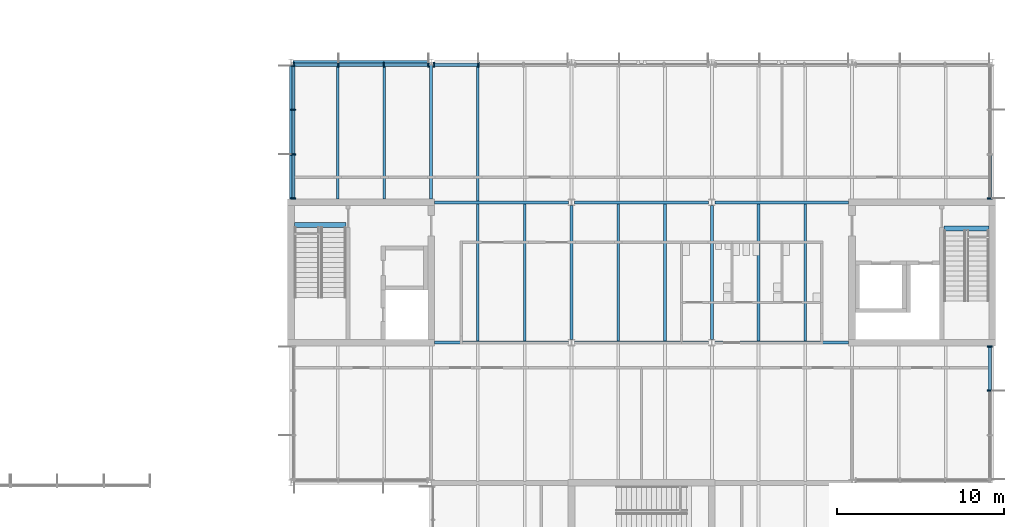
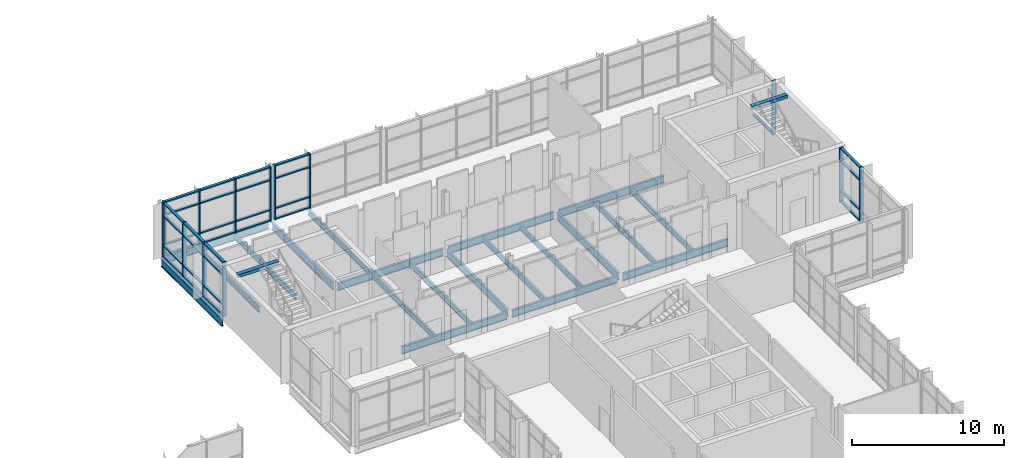
# One storey, part 28 of 72: 46 members, 22 beams, 5 elements without a shape of their own.
"""IFC4 building model written with IfcOpenShell, lengths in metres."""

from ifc_helpers import new_model, si_unit, direction, frame, origin, origin_2d, place, context, subcontext, project, spatial, rectangle, i_section, extrude, material, material_profile, profile_set, type_object, element, aggregate, save


model = new_model("IFC4")

# Units and contexts
model_context = context("Model", 3, precision=1e-05, world=origin(), true_north=direction((0.0, 1.0)))
body_context = subcontext(model_context, "Body", "Model", "MODEL_VIEW")
ifc_project = project(units=[si_unit("LENGTHUNIT", "METRE"), si_unit("AREAUNIT", "SQUARE_METRE"), si_unit("VOLUMEUNIT", "CUBIC_METRE"), si_unit("PLANEANGLEUNIT", "RADIAN"), si_unit("MASSUNIT", "GRAM", prefix="KILO")], contexts=[model_context])

# Site, building, storey
site_placement = place(None, origin())
site = spatial("IfcSite", under=ifc_project, at=site_placement, CompositionType="ELEMENT")
building_placement = place(site_placement, origin())
building = spatial("IfcBuilding", under=site, at=building_placement, Name="Hlaing Beacon Police Headquarters", CompositionType="ELEMENT")
storey_placement = place(building_placement, frame((0.0, 0.0, 14.39990234375)))
storey = spatial("IfcBuildingStorey", under=building, at=storey_placement, Name="L03", CompositionType="ELEMENT", Elevation=14.39990234375)

# Beams
ifc_material_1 = material(Name="Steel ASTM A992 Grade 50", Category="steel")
ifc_material_profile_1 = material_profile(ifc_material_1, i_section(OverallWidth=0.177978515625, OverallDepth=0.599365234375, WebThickness=0.010009765625, FlangeThickness=0.012939453125, FilletRadius=0.012939453125, at=origin_2d()), Name="W24x55")
ifc_profile_set_1 = profile_set([ifc_material_profile_1], Name="Steel ASTM A992 Grade 50")
beam_type_1 = type_object("IfcBeamType", Name="Girder W24x55", PredefinedType="BEAM", material=ifc_profile_set_1)
beam_1_placement = place(storey_placement, frame((101.0, 75.60009765625, -0.4296875), z_axis=(1.0, 0.0, 0.0), x_axis=(0.0, 1.0, 0.0)))
element("IfcBeam", 1, at=beam_1_placement, inside=storey, type_object=beam_type_1, Name="STR-BM-L03-GX-N10-P10", PredefinedType="BEAM", context=body_context, shape_type="SweptSolid", body=[
    extrude(i_section(OverallWidth=0.177978515625, OverallDepth=0.599365234375, WebThickness=0.010009765625, FlangeThickness=0.012939453125, FilletRadius=0.012939453125, at=origin_2d()), origin(), (0.0, 0.0, 1.0), 8.012939453125),
])
beam_2_placement = place(storey_placement, frame((109.386962890625, 75.60009765625, -0.4296875), z_axis=(1.0, 0.0, 0.0), x_axis=(0.0, 1.0, 0.0)))
element("IfcBeam", 2, at=beam_2_placement, inside=storey, type_object=beam_type_1, Name="STR-BM-L03-GX-P10-Q10", PredefinedType="BEAM", context=body_context, shape_type="SweptSolid", body=[
    extrude(i_section(OverallWidth=0.177978515625, OverallDepth=0.599365234375, WebThickness=0.010009765625, FlangeThickness=0.012939453125, FilletRadius=0.012939453125, at=origin_2d()), origin(), (0.0, 0.0, 1.0), 8.026123046875),
])
for number, where, z_axis, x_axis, name in (
    (3, (117.787109375, 75.60009765625, -0.4296875), (1.0, 0.0, 0.0), (0.0, 1.0, 0.0), "STR-BM-L03-GX-Q10-R10"),
    (4, (101.0, 84.0, -0.4296875), (1.0, 0.0, 0.0), (0.0, 1.0, 0.0), "STR-BM-L03-GX-N11-P11"),
):
    element("IfcBeam", number, at=place(storey_placement, frame(where, z_axis=z_axis, x_axis=x_axis)), inside=storey, type_object=beam_type_1, Name=name, PredefinedType="BEAM", context=body_context, shape_type="SweptSolid", body=[
        extrude(i_section(OverallWidth=0.177978515625, OverallDepth=0.599365234375, WebThickness=0.010009765625, FlangeThickness=0.012939453125, FilletRadius=0.012939453125, at=origin_2d()), origin(), (0.0, 0.0, 1.0), 8.012939453125),
    ])
beam_3_placement = place(storey_placement, frame((109.386962890625, 84.0, -0.4296875), z_axis=(1.0, 0.0, 0.0), x_axis=(0.0, 1.0, 0.0)))
element("IfcBeam", 5, at=beam_3_placement, inside=storey, type_object=beam_type_1, Name="STR-BM-L03-GX-P11-Q11", PredefinedType="BEAM", context=body_context, shape_type="SweptSolid", body=[
    extrude(i_section(OverallWidth=0.177978515625, OverallDepth=0.599365234375, WebThickness=0.010009765625, FlangeThickness=0.012939453125, FilletRadius=0.012939453125, at=origin_2d()), origin(), (0.0, 0.0, 1.0), 8.026123046875),
])
beam_4_placement = place(storey_placement, frame((117.787109375, 84.0, -0.4296875), z_axis=(1.0, 0.0, 0.0), x_axis=(0.0, 1.0, 0.0)))
element("IfcBeam", 6, at=beam_4_placement, inside=storey, type_object=beam_type_1, Name="STR-BM-L03-GX-Q11-R11", PredefinedType="BEAM", context=body_context, shape_type="SweptSolid", body=[
    extrude(i_section(OverallWidth=0.177978515625, OverallDepth=0.599365234375, WebThickness=0.010009765625, FlangeThickness=0.012939453125, FilletRadius=0.012939453125, at=origin_2d()), origin(), (0.0, 0.0, 1.0), 8.012939453125),
])
beam_5_placement = place(storey_placement, frame((92.527099609375, 92.39990234375, -0.4296875), z_axis=(1.0, 0.0, 0.0), x_axis=(0.0, 1.0, 0.0)))
element("IfcBeam", 7, at=beam_5_placement, inside=storey, type_object=beam_type_1, Name="STR-BM-L03-GX-M12-N12", PredefinedType="BEAM", context=body_context, shape_type="SweptSolid", body=[
    extrude(i_section(OverallWidth=0.177978515625, OverallDepth=0.599365234375, WebThickness=0.010009765625, FlangeThickness=0.012939453125, FilletRadius=0.012939453125, at=origin_2d()), origin(), (0.0, 0.0, 1.0), 8.0888671875),
])
for number, where, z_axis, x_axis, name in (
    (8, (92.39990234375, 84.199951171875, -0.4296875), (0.0, 1.0, 0.0), (-1.0, 0.0, 0.0), "STR-BM-L03-GY-M11-M12"),
    (9, (100.800048828125, 84.199951171875, -0.4296875), (0.0, 1.0, 0.0), (-1.0, 0.0, 0.0), "STR-BM-L03-GY-N11-N12"),
):
    element("IfcBeam", number, at=place(storey_placement, frame(where, z_axis=z_axis, x_axis=x_axis)), inside=storey, type_object=beam_type_1, Name=name, PredefinedType="BEAM", context=body_context, shape_type="SweptSolid", body=[
        extrude(i_section(OverallWidth=0.177978515625, OverallDepth=0.599365234375, WebThickness=0.010009765625, FlangeThickness=0.012939453125, FilletRadius=0.012939453125, at=origin_2d()), origin(), (0.0, 0.0, 1.0), 8.02197265625),
    ])
for number, where, z_axis, x_axis, name in (
    (10, (109.199951171875, 75.787109375, -0.4296875), (0.0, 1.0, 0.0), (-1.0, 0.0, 0.0), "STR-BM-L03-GY-P10-P11"),
    (11, (117.60009765625, 75.787109375, -0.4296875), (0.0, 1.0, 0.0), (-1.0, 0.0, 0.0), "STR-BM-L03-GY-Q10-Q11"),
):
    element("IfcBeam", number, at=place(storey_placement, frame(where, z_axis=z_axis, x_axis=x_axis)), inside=storey, type_object=beam_type_1, Name=name, PredefinedType="BEAM", context=body_context, shape_type="SweptSolid", body=[
        extrude(i_section(OverallWidth=0.177978515625, OverallDepth=0.599365234375, WebThickness=0.010009765625, FlangeThickness=0.012939453125, FilletRadius=0.012939453125, at=origin_2d()), origin(), (0.0, 0.0, 1.0), 8.02587890625),
    ])

# Curtain wall, members
ifc_material_2 = material(Name="Aluminium frame with solar control glazing", Category="aluminium")
curtain_wall_type_1 = type_object("IfcCurtainWallType", Name="Structural glazed gable wall 8.02 x 4.37", PredefinedType="NOTDEFINED", material=ifc_material_2)
curtain_wall_1_placement = place(storey_placement, origin())
curtain_wall_1 = element("IfcCurtainWall", 12, at=curtain_wall_1_placement, inside=storey, type_object=curtain_wall_type_1, Name="ENV-CW-L03-E026", PredefinedType="NOTDEFINED")
ifc_material_3 = material(Name="Aluminium", Category="aluminium")
ifc_material_profile_2 = material_profile(ifc_material_3, rectangle(XDim=0.300048828125, YDim=0.080078125, at=origin_2d()), Name="Mullion 80x300")
ifc_profile_set_2 = profile_set([ifc_material_profile_2], Name="Aluminium")
member_type_1 = type_object("IfcMemberType", Name="Mullion 80x300", PredefinedType="MULLION", material=ifc_profile_set_2)
member_1_placement = place(storey_placement, frame((134.25, 72.7255859375, 0.0), z_axis=(0.0, 0.0, 1.0), x_axis=(-1.0, 0.0, 0.0)))
member_1 = element("IfcMember", 13, at=member_1_placement, type_object=member_type_1, Name="CW-L03-E026 mullion 3", PredefinedType="MULLION", context=body_context, shape_type="SweptSolid", body=[
    extrude(rectangle(XDim=0.300048828125, YDim=0.080078125, at=origin_2d()), origin(), (0.0, 0.0, 1.0), 4.3701171875),
])
member_2_placement = place(storey_placement, frame((134.25, 75.360107421875, 0.0), z_axis=(0.0, 0.0, 1.0), x_axis=(-1.0, 0.0, 0.0)))
member_2 = element("IfcMember", 14, at=member_2_placement, type_object=member_type_1, Name="CW-L03-E026 mullion 4", PredefinedType="MULLION", context=body_context, shape_type="SweptSolid", body=[
    extrude(rectangle(XDim=0.300048828125, YDim=0.080078125, at=origin_2d()), origin(), (0.0, 0.0, 1.0), 4.3701171875),
])

# Curtain wall, member
curtain_wall_2_placement = place(storey_placement, origin())
curtain_wall_2 = element("IfcCurtainWall", 15, at=curtain_wall_2_placement, inside=storey, type_object=curtain_wall_type_1, Name="ENV-CW-L03-E027", PredefinedType="NOTDEFINED")
member_3_placement = place(storey_placement, frame((134.25, 84.239990234375, 0.0), z_axis=(0.0, 0.0, 1.0), x_axis=(-1.0, 0.0, 0.0)))
member_3 = element("IfcMember", 16, at=member_3_placement, type_object=member_type_1, Name="CW-L03-E027 mullion 1", PredefinedType="MULLION", context=body_context, shape_type="SweptSolid", body=[
    extrude(rectangle(XDim=0.300048828125, YDim=0.080078125, at=origin_2d()), origin(), (0.0, 0.0, 1.0), 4.3701171875),
])

# Curtain wall, members
ifc_material_4 = material(Name="Aluminium frame with solar control glazing", Category="aluminium")
curtain_wall_type_2 = type_object("IfcCurtainWallType", Name="Structural glazed gable wall 8.09 x 4.37", PredefinedType="NOTDEFINED", material=ifc_material_4)
curtain_wall_3_placement = place(storey_placement, origin())
curtain_wall_3 = element("IfcCurtainWall", 17, at=curtain_wall_3_placement, inside=storey, type_object=curtain_wall_type_2, Name="ENV-CW-L03-N031", PredefinedType="NOTDEFINED")
member_4_placement = place(storey_placement, frame((103.623779296875, 92.25, 0.0), z_axis=(0.0, 0.0, 1.0), x_axis=(0.0, -1.0, 0.0)))
member_4 = element("IfcMember", 18, at=member_4_placement, type_object=member_type_1, Name="CW-L03-N031 mullion 3", PredefinedType="MULLION", context=body_context, shape_type="SweptSolid", body=[
    extrude(rectangle(XDim=0.300048828125, YDim=0.080078125, at=origin_2d()), origin(), (0.0, 0.0, 1.0), 4.3701171875),
])
member_5_placement = place(storey_placement, frame((100.96826171875, 92.25, 0.0), z_axis=(0.0, 0.0, 1.0), x_axis=(0.0, -1.0, 0.0)))
member_5 = element("IfcMember", 19, at=member_5_placement, type_object=member_type_1, Name="CW-L03-N031 mullion 4", PredefinedType="MULLION", context=body_context, shape_type="SweptSolid", body=[
    extrude(rectangle(XDim=0.300048828125, YDim=0.080078125, at=origin_2d()), origin(), (0.0, 0.0, 1.0), 4.3701171875),
])

ifc_material_5 = material(Name="Aluminium frame with solar control glazing", Category="aluminium")
curtain_wall_type_3 = type_object("IfcCurtainWallType", Name="Structural glazed gable wall 8.14 x 4.37", PredefinedType="NOTDEFINED", material=ifc_material_5)
curtain_wall_4_placement = place(storey_placement, origin())
curtain_wall_4 = element("IfcCurtainWall", 20, at=curtain_wall_4_placement, inside=storey, type_object=curtain_wall_type_3, Name="ENV-CW-L03-N032", PredefinedType="NOTDEFINED")
member_6_placement = place(storey_placement, frame((100.631591796875, 92.25, 0.0), z_axis=(0.0, 0.0, 1.0), x_axis=(0.0, -1.0, 0.0)))
member_6 = element("IfcMember", 21, at=member_6_placement, type_object=member_type_1, Name="CW-L03-N032 mullion 1", PredefinedType="MULLION", context=body_context, shape_type="SweptSolid", body=[
    extrude(rectangle(XDim=0.300048828125, YDim=0.080078125, at=origin_2d()), origin(), (0.0, 0.0, 1.0), 4.3701171875),
])
member_7_placement = place(storey_placement, frame((97.956787109375, 92.25, 0.0), z_axis=(0.0, 0.0, 1.0), x_axis=(0.0, -1.0, 0.0)))
member_7 = element("IfcMember", 22, at=member_7_placement, type_object=member_type_1, Name="CW-L03-N032 mullion 2", PredefinedType="MULLION", context=body_context, shape_type="SweptSolid", body=[
    extrude(rectangle(XDim=0.300048828125, YDim=0.080078125, at=origin_2d()), origin(), (0.0, 0.0, 1.0), 4.3701171875),
])
member_8_placement = place(storey_placement, frame((95.241943359375, 92.25, 0.0), z_axis=(0.0, 0.0, 1.0), x_axis=(0.0, -1.0, 0.0)))
member_8 = element("IfcMember", 23, at=member_8_placement, type_object=member_type_1, Name="CW-L03-N032 mullion 3", PredefinedType="MULLION", context=body_context, shape_type="SweptSolid", body=[
    extrude(rectangle(XDim=0.300048828125, YDim=0.080078125, at=origin_2d()), origin(), (0.0, 0.0, 1.0), 4.3701171875),
])
member_9_placement = place(storey_placement, frame((92.56689453125, 92.25, 0.0), z_axis=(0.0, 0.0, 1.0), x_axis=(0.0, -1.0, 0.0)))
member_9 = element("IfcMember", 24, at=member_9_placement, type_object=member_type_1, Name="CW-L03-N032 mullion 4", PredefinedType="MULLION", context=body_context, shape_type="SweptSolid", body=[
    extrude(rectangle(XDim=0.300048828125, YDim=0.080078125, at=origin_2d()), origin(), (0.0, 0.0, 1.0), 4.3701171875),
])

curtain_wall_5_placement = place(storey_placement, origin())
curtain_wall_5 = element("IfcCurtainWall", 25, at=curtain_wall_5_placement, inside=storey, type_object=curtain_wall_type_1, Name="ENV-CW-L03-W033", PredefinedType="NOTDEFINED")
member_10_placement = place(storey_placement, frame((92.550048828125, 92.18359375, 0.0), z_axis=(0.0, 0.0, 1.0), x_axis=(1.0, 0.0, 0.0)))
member_10 = element("IfcMember", 26, at=member_10_placement, type_object=member_type_1, Name="CW-L03-W033 mullion 1", PredefinedType="MULLION", context=body_context, shape_type="SweptSolid", body=[
    extrude(rectangle(XDim=0.300048828125, YDim=0.080078125, at=origin_2d()), origin(), (0.0, 0.0, 1.0), 4.3701171875),
])
member_11_placement = place(storey_placement, frame((92.550048828125, 89.549072265625, 0.0), z_axis=(0.0, 0.0, 1.0), x_axis=(1.0, 0.0, 0.0)))
member_11 = element("IfcMember", 27, at=member_11_placement, type_object=member_type_1, Name="CW-L03-W033 mullion 2", PredefinedType="MULLION", context=body_context, shape_type="SweptSolid", body=[
    extrude(rectangle(XDim=0.300048828125, YDim=0.080078125, at=origin_2d()), origin(), (0.0, 0.0, 1.0), 4.3701171875),
])
member_12_placement = place(storey_placement, frame((92.550048828125, 86.87451171875, 0.0), z_axis=(0.0, 0.0, 1.0), x_axis=(1.0, 0.0, 0.0)))
member_12 = element("IfcMember", 28, at=member_12_placement, type_object=member_type_1, Name="CW-L03-W033 mullion 3", PredefinedType="MULLION", context=body_context, shape_type="SweptSolid", body=[
    extrude(rectangle(XDim=0.300048828125, YDim=0.080078125, at=origin_2d()), origin(), (0.0, 0.0, 1.0), 4.3701171875),
])
member_13_placement = place(storey_placement, frame((92.550048828125, 84.239990234375, 0.0), z_axis=(0.0, 0.0, 1.0), x_axis=(1.0, 0.0, 0.0)))
member_13 = element("IfcMember", 29, at=member_13_placement, type_object=member_type_1, Name="CW-L03-W033 mullion 4", PredefinedType="MULLION", context=body_context, shape_type="SweptSolid", body=[
    extrude(rectangle(XDim=0.300048828125, YDim=0.080078125, at=origin_2d()), origin(), (0.0, 0.0, 1.0), 4.3701171875),
])

# Beams
ifc_material_6 = material(Name="Steel ASTM A992 Grade 50", Category="steel")
ifc_material_profile_3 = material_profile(ifc_material_6, i_section(OverallWidth=0.15234375, OverallDepth=0.449462890625, WebThickness=0.007568359375, FlangeThickness=0.0107421875, FilletRadius=0.01025390625, at=origin_2d()), Name="W18x35")
ifc_profile_set_3 = profile_set([ifc_material_profile_3], Name="Steel ASTM A992 Grade 50")
beam_type_2 = type_object("IfcBeamType", Name="Secondary beam W18x35", PredefinedType="BEAM", material=ifc_profile_set_3)
for number, where, z_axis, x_axis, name in (
    (30, (95.199951171875, 84.199951171875, -0.354736328125), (0.0, 1.0, 0.0), (-1.0, 0.0, 0.0), "STR-BM-L03-SB-M11-y1"),
    (31, (98.0, 84.199951171875, -0.354736328125), (0.0, 1.0, 0.0), (-1.0, 0.0, 0.0), "STR-BM-L03-SB-M11-y2"),
):
    element("IfcBeam", number, at=place(storey_placement, frame(where, z_axis=z_axis, x_axis=x_axis)), inside=storey, type_object=beam_type_2, Name=name, PredefinedType="BEAM", context=body_context, shape_type="SweptSolid", body=[
        extrude(i_section(OverallWidth=0.15234375, OverallDepth=0.449462890625, WebThickness=0.007568359375, FlangeThickness=0.0107421875, FilletRadius=0.01025390625, at=origin_2d()), origin(), (0.0, 0.0, 1.0), 8.111083984375),
    ])
for number, where, z_axis, x_axis, name in (
    (32, (103.60009765625, 75.68896484375, -0.354736328125), (0.0, 1.0, 0.0), (-1.0, 0.0, 0.0), "STR-BM-L03-SB-N10-y1"),
    (33, (106.39990234375, 75.68896484375, -0.354736328125), (0.0, 1.0, 0.0), (-1.0, 0.0, 0.0), "STR-BM-L03-SB-N10-y2"),
    (34, (103.60009765625, 84.089111328125, -0.354736328125), (0.0, 1.0, 0.0), (-1.0, 0.0, 0.0), "STR-BM-L03-SB-N11-y1"),
    (35, (112.0, 75.68896484375, -0.354736328125), (0.0, 1.0, 0.0), (-1.0, 0.0, 0.0), "STR-BM-L03-SB-P10-y1"),
    (36, (114.800048828125, 75.68896484375, -0.354736328125), (0.0, 1.0, 0.0), (-1.0, 0.0, 0.0), "STR-BM-L03-SB-P10-y2"),
    (37, (120.39990234375, 75.68896484375, -0.354736328125), (0.0, 1.0, 0.0), (-1.0, 0.0, 0.0), "STR-BM-L03-SB-Q10-y1"),
    (38, (123.199951171875, 75.68896484375, -0.354736328125), (0.0, 1.0, 0.0), (-1.0, 0.0, 0.0), "STR-BM-L03-SB-Q10-y2"),
):
    element("IfcBeam", number, at=place(storey_placement, frame(where, z_axis=z_axis, x_axis=x_axis)), inside=storey, type_object=beam_type_2, Name=name, PredefinedType="BEAM", context=body_context, shape_type="SweptSolid", body=[
        extrude(i_section(OverallWidth=0.15234375, OverallDepth=0.449462890625, WebThickness=0.007568359375, FlangeThickness=0.0107421875, FilletRadius=0.01025390625, at=origin_2d()), origin(), (0.0, 0.0, 1.0), 8.221923828125),
    ])
ifc_material_7 = material(Name="Concrete C40/50", Category="concrete")
ifc_material_profile_4 = material_profile(ifc_material_7, rectangle(XDim=0.300048828125, YDim=0.25, at=origin_2d()), Name="Stair arrival beam 300x250")
ifc_profile_set_4 = profile_set([ifc_material_profile_4], Name="Concrete C40/50")
beam_type_3 = type_object("IfcBeamType", Name="Stair arrival beam 300x250", PredefinedType="BEAM", material=ifc_profile_set_4)
beam_6_placement = place(storey_placement, frame((92.60009765625, 82.639892578125, 4.2451171875), z_axis=(1.0, 0.0, 0.0), x_axis=(0.0, 1.0, 0.0)))
element("IfcBeam", 39, at=beam_6_placement, inside=storey, type_object=beam_type_3, Name="Stair arrival beam ST-Q", PredefinedType="BEAM", context=body_context, shape_type="SweptSolid", body=[
    extrude(rectangle(XDim=0.300048828125, YDim=0.25, at=origin_2d()), origin(), (0.0, 0.0, 1.0), 3.099853515625),
])
beam_7_placement = place(storey_placement, frame((134.199951171875, 82.43994140625, 4.2451171875), z_axis=(-1.0, 0.0, 0.0), x_axis=(0.0, -1.0, 0.0)))
element("IfcBeam", 40, at=beam_7_placement, inside=storey, type_object=beam_type_3, Name="Stair arrival beam ST-R", PredefinedType="BEAM", context=body_context, shape_type="SweptSolid", body=[
    extrude(rectangle(XDim=0.300048828125, YDim=0.25, at=origin_2d()), origin(), (0.0, 0.0, 1.0), 2.699951171875),
])

# Member
ifc_material_8 = material(Name="Aluminium", Category="aluminium")
ifc_material_profile_5 = material_profile(ifc_material_8, rectangle(XDim=0.199951171875, YDim=0.10009765625, at=origin_2d()), Name="Transom 200x100")
ifc_profile_set_5 = profile_set([ifc_material_profile_5], Name="Aluminium")
member_type_2 = type_object("IfcMemberType", Name="Transom 200x100", PredefinedType="USERDEFINED", material=ifc_profile_set_5)
member_14_placement = place(storey_placement, frame((134.25, 72.765380859375, 0.050048828125), z_axis=(0.0, 1.0, 0.0), x_axis=(-1.0, 0.0, 0.0)))
member_14 = element("IfcMember", 41, at=member_14_placement, type_object=member_type_2, Name="CW-L03-E026 transom 3.1", ObjectType="TRANSOM", PredefinedType="USERDEFINED", context=body_context, shape_type="SweptSolid", body=[
    extrude(rectangle(XDim=0.199951171875, YDim=0.10009765625, at=origin_2d()), origin(), (0.0, 0.0, 1.0), 2.5546875),
])

member_15_placement = place(storey_placement, frame((134.25, 72.765380859375, 0.900146484375), z_axis=(0.0, 1.0, 0.0), x_axis=(-1.0, 0.0, 0.0)))
member_15 = element("IfcMember", 42, at=member_15_placement, type_object=member_type_2, Name="CW-L03-E026 transom 3.2", ObjectType="TRANSOM", PredefinedType="USERDEFINED", context=body_context, shape_type="SweptSolid", body=[
    extrude(rectangle(XDim=0.199951171875, YDim=0.10009765625, at=origin_2d()), origin(), (0.0, 0.0, 1.0), 2.5546875),
])

member_16_placement = place(storey_placement, frame((134.25, 72.765380859375, 3.300048828125), z_axis=(0.0, 1.0, 0.0), x_axis=(-1.0, 0.0, 0.0)))
member_16 = element("IfcMember", 43, at=member_16_placement, type_object=member_type_2, Name="CW-L03-E026 transom 3.3", ObjectType="TRANSOM", PredefinedType="USERDEFINED", context=body_context, shape_type="SweptSolid", body=[
    extrude(rectangle(XDim=0.199951171875, YDim=0.10009765625, at=origin_2d()), origin(), (0.0, 0.0, 1.0), 2.5546875),
])

member_17_placement = place(storey_placement, frame((134.25, 72.765380859375, 4.320068359375), z_axis=(0.0, 1.0, 0.0), x_axis=(-1.0, 0.0, 0.0)))
member_17 = element("IfcMember", 44, at=member_17_placement, type_object=member_type_2, Name="CW-L03-E026 transom 3.4", ObjectType="TRANSOM", PredefinedType="USERDEFINED", context=body_context, shape_type="SweptSolid", body=[
    extrude(rectangle(XDim=0.199951171875, YDim=0.10009765625, at=origin_2d()), origin(), (0.0, 0.0, 1.0), 2.5546875),
])

aggregate(curtain_wall_1, [member_1, member_2, member_14, member_15, member_16, member_17])

member_18_placement = place(storey_placement, frame((134.25, 84.280029296875, 0.050048828125), z_axis=(0.0, 1.0, 0.0), x_axis=(-1.0, 0.0, 0.0)))
member_18 = element("IfcMember", 45, at=member_18_placement, type_object=member_type_2, Name="CW-L03-E027 transom 1.1", ObjectType="TRANSOM", PredefinedType="USERDEFINED", context=body_context, shape_type="SweptSolid", body=[
    extrude(rectangle(XDim=0.199951171875, YDim=0.10009765625, at=origin_2d()), origin(), (0.0, 0.0, 1.0), 2.554443359375),
])

aggregate(curtain_wall_2, [member_3, member_18])

member_19_placement = place(storey_placement, frame((103.583740234375, 92.25, 0.050048828125), z_axis=(-1.0, 0.0, 0.0), x_axis=(0.0, -1.0, 0.0)))
member_19 = element("IfcMember", 46, at=member_19_placement, type_object=member_type_2, Name="CW-L03-N031 transom 3.1", ObjectType="TRANSOM", PredefinedType="USERDEFINED", context=body_context, shape_type="SweptSolid", body=[
    extrude(rectangle(XDim=0.199951171875, YDim=0.10009765625, at=origin_2d()), origin(), (0.0, 0.0, 1.0), 2.575439453125),
])

member_20_placement = place(storey_placement, frame((103.583740234375, 92.25, 0.900146484375), z_axis=(-1.0, 0.0, 0.0), x_axis=(0.0, -1.0, 0.0)))
member_20 = element("IfcMember", 47, at=member_20_placement, type_object=member_type_2, Name="CW-L03-N031 transom 3.2", ObjectType="TRANSOM", PredefinedType="USERDEFINED", context=body_context, shape_type="SweptSolid", body=[
    extrude(rectangle(XDim=0.199951171875, YDim=0.10009765625, at=origin_2d()), origin(), (0.0, 0.0, 1.0), 2.575439453125),
])

member_21_placement = place(storey_placement, frame((103.583740234375, 92.25, 3.300048828125), z_axis=(-1.0, 0.0, 0.0), x_axis=(0.0, -1.0, 0.0)))
member_21 = element("IfcMember", 48, at=member_21_placement, type_object=member_type_2, Name="CW-L03-N031 transom 3.3", ObjectType="TRANSOM", PredefinedType="USERDEFINED", context=body_context, shape_type="SweptSolid", body=[
    extrude(rectangle(XDim=0.199951171875, YDim=0.10009765625, at=origin_2d()), origin(), (0.0, 0.0, 1.0), 2.575439453125),
])

member_22_placement = place(storey_placement, frame((103.583740234375, 92.25, 4.320068359375), z_axis=(-1.0, 0.0, 0.0), x_axis=(0.0, -1.0, 0.0)))
member_22 = element("IfcMember", 49, at=member_22_placement, type_object=member_type_2, Name="CW-L03-N031 transom 3.4", ObjectType="TRANSOM", PredefinedType="USERDEFINED", context=body_context, shape_type="SweptSolid", body=[
    extrude(rectangle(XDim=0.199951171875, YDim=0.10009765625, at=origin_2d()), origin(), (0.0, 0.0, 1.0), 2.575439453125),
])

aggregate(curtain_wall_3, [member_4, member_5, member_19, member_20, member_21, member_22])

member_23_placement = place(storey_placement, frame((100.591796875, 92.25, 0.050048828125), z_axis=(-1.0, 0.0, 0.0), x_axis=(0.0, -1.0, 0.0)))
member_23 = element("IfcMember", 50, at=member_23_placement, type_object=member_type_2, Name="CW-L03-N032 transom 1.1", ObjectType="TRANSOM", PredefinedType="USERDEFINED", context=body_context, shape_type="SweptSolid", body=[
    extrude(rectangle(XDim=0.199951171875, YDim=0.10009765625, at=origin_2d()), origin(), (0.0, 0.0, 1.0), 2.594970703125),
])

member_24_placement = place(storey_placement, frame((100.591796875, 92.25, 0.900146484375), z_axis=(-1.0, 0.0, 0.0), x_axis=(0.0, -1.0, 0.0)))
member_24 = element("IfcMember", 51, at=member_24_placement, type_object=member_type_2, Name="CW-L03-N032 transom 1.2", ObjectType="TRANSOM", PredefinedType="USERDEFINED", context=body_context, shape_type="SweptSolid", body=[
    extrude(rectangle(XDim=0.199951171875, YDim=0.10009765625, at=origin_2d()), origin(), (0.0, 0.0, 1.0), 2.594970703125),
])

member_25_placement = place(storey_placement, frame((100.591796875, 92.25, 3.300048828125), z_axis=(-1.0, 0.0, 0.0), x_axis=(0.0, -1.0, 0.0)))
member_25 = element("IfcMember", 52, at=member_25_placement, type_object=member_type_2, Name="CW-L03-N032 transom 1.3", ObjectType="TRANSOM", PredefinedType="USERDEFINED", context=body_context, shape_type="SweptSolid", body=[
    extrude(rectangle(XDim=0.199951171875, YDim=0.10009765625, at=origin_2d()), origin(), (0.0, 0.0, 1.0), 2.594970703125),
])

member_26_placement = place(storey_placement, frame((100.591796875, 92.25, 4.320068359375), z_axis=(-1.0, 0.0, 0.0), x_axis=(0.0, -1.0, 0.0)))
member_26 = element("IfcMember", 53, at=member_26_placement, type_object=member_type_2, Name="CW-L03-N032 transom 1.4", ObjectType="TRANSOM", PredefinedType="USERDEFINED", context=body_context, shape_type="SweptSolid", body=[
    extrude(rectangle(XDim=0.199951171875, YDim=0.10009765625, at=origin_2d()), origin(), (0.0, 0.0, 1.0), 2.594970703125),
])

member_27_placement = place(storey_placement, frame((97.916748046875, 92.25, 0.050048828125), z_axis=(-1.0, 0.0, 0.0), x_axis=(0.0, -1.0, 0.0)))
member_27 = element("IfcMember", 54, at=member_27_placement, type_object=member_type_2, Name="CW-L03-N032 transom 2.1", ObjectType="TRANSOM", PredefinedType="USERDEFINED", context=body_context, shape_type="SweptSolid", body=[
    extrude(rectangle(XDim=0.199951171875, YDim=0.10009765625, at=origin_2d()), origin(), (0.0, 0.0, 1.0), 2.634765625),
])

member_28_placement = place(storey_placement, frame((97.916748046875, 92.25, 0.900146484375), z_axis=(-1.0, 0.0, 0.0), x_axis=(0.0, -1.0, 0.0)))
member_28 = element("IfcMember", 55, at=member_28_placement, type_object=member_type_2, Name="CW-L03-N032 transom 2.2", ObjectType="TRANSOM", PredefinedType="USERDEFINED", context=body_context, shape_type="SweptSolid", body=[
    extrude(rectangle(XDim=0.199951171875, YDim=0.10009765625, at=origin_2d()), origin(), (0.0, 0.0, 1.0), 2.634765625),
])

member_29_placement = place(storey_placement, frame((97.916748046875, 92.25, 3.300048828125), z_axis=(-1.0, 0.0, 0.0), x_axis=(0.0, -1.0, 0.0)))
member_29 = element("IfcMember", 56, at=member_29_placement, type_object=member_type_2, Name="CW-L03-N032 transom 2.3", ObjectType="TRANSOM", PredefinedType="USERDEFINED", context=body_context, shape_type="SweptSolid", body=[
    extrude(rectangle(XDim=0.199951171875, YDim=0.10009765625, at=origin_2d()), origin(), (0.0, 0.0, 1.0), 2.634765625),
])

member_30_placement = place(storey_placement, frame((97.916748046875, 92.25, 4.320068359375), z_axis=(-1.0, 0.0, 0.0), x_axis=(0.0, -1.0, 0.0)))
member_30 = element("IfcMember", 57, at=member_30_placement, type_object=member_type_2, Name="CW-L03-N032 transom 2.4", ObjectType="TRANSOM", PredefinedType="USERDEFINED", context=body_context, shape_type="SweptSolid", body=[
    extrude(rectangle(XDim=0.199951171875, YDim=0.10009765625, at=origin_2d()), origin(), (0.0, 0.0, 1.0), 2.634765625),
])

member_31_placement = place(storey_placement, frame((95.201904296875, 92.25, 0.050048828125), z_axis=(-1.0, 0.0, 0.0), x_axis=(0.0, -1.0, 0.0)))
member_31 = element("IfcMember", 58, at=member_31_placement, type_object=member_type_2, Name="CW-L03-N032 transom 3.1", ObjectType="TRANSOM", PredefinedType="USERDEFINED", context=body_context, shape_type="SweptSolid", body=[
    extrude(rectangle(XDim=0.199951171875, YDim=0.10009765625, at=origin_2d()), origin(), (0.0, 0.0, 1.0), 2.594970703125),
])

member_32_placement = place(storey_placement, frame((95.201904296875, 92.25, 0.900146484375), z_axis=(-1.0, 0.0, 0.0), x_axis=(0.0, -1.0, 0.0)))
member_32 = element("IfcMember", 59, at=member_32_placement, type_object=member_type_2, Name="CW-L03-N032 transom 3.2", ObjectType="TRANSOM", PredefinedType="USERDEFINED", context=body_context, shape_type="SweptSolid", body=[
    extrude(rectangle(XDim=0.199951171875, YDim=0.10009765625, at=origin_2d()), origin(), (0.0, 0.0, 1.0), 2.594970703125),
])

member_33_placement = place(storey_placement, frame((95.201904296875, 92.25, 3.300048828125), z_axis=(-1.0, 0.0, 0.0), x_axis=(0.0, -1.0, 0.0)))
member_33 = element("IfcMember", 60, at=member_33_placement, type_object=member_type_2, Name="CW-L03-N032 transom 3.3", ObjectType="TRANSOM", PredefinedType="USERDEFINED", context=body_context, shape_type="SweptSolid", body=[
    extrude(rectangle(XDim=0.199951171875, YDim=0.10009765625, at=origin_2d()), origin(), (0.0, 0.0, 1.0), 2.594970703125),
])

member_34_placement = place(storey_placement, frame((95.201904296875, 92.25, 4.320068359375), z_axis=(-1.0, 0.0, 0.0), x_axis=(0.0, -1.0, 0.0)))
member_34 = element("IfcMember", 61, at=member_34_placement, type_object=member_type_2, Name="CW-L03-N032 transom 3.4", ObjectType="TRANSOM", PredefinedType="USERDEFINED", context=body_context, shape_type="SweptSolid", body=[
    extrude(rectangle(XDim=0.199951171875, YDim=0.10009765625, at=origin_2d()), origin(), (0.0, 0.0, 1.0), 2.594970703125),
])

aggregate(curtain_wall_4, [member_6, member_7, member_8, member_9, member_23, member_24, member_25, member_26, member_27, member_28, member_29, member_30, member_31, member_32, member_33, member_34])

member_35_placement = place(storey_placement, frame((92.550048828125, 92.1435546875, 0.050048828125), z_axis=(0.0, -1.0, 0.0), x_axis=(1.0, 0.0, 0.0)))
member_35 = element("IfcMember", 62, at=member_35_placement, type_object=member_type_2, Name="CW-L03-W033 transom 1.1", ObjectType="TRANSOM", PredefinedType="USERDEFINED", context=body_context, shape_type="SweptSolid", body=[
    extrude(rectangle(XDim=0.199951171875, YDim=0.10009765625, at=origin_2d()), origin(), (0.0, 0.0, 1.0), 2.554443359375),
])

member_36_placement = place(storey_placement, frame((92.550048828125, 92.1435546875, 0.900146484375), z_axis=(0.0, -1.0, 0.0), x_axis=(1.0, 0.0, 0.0)))
member_36 = element("IfcMember", 63, at=member_36_placement, type_object=member_type_2, Name="CW-L03-W033 transom 1.2", ObjectType="TRANSOM", PredefinedType="USERDEFINED", context=body_context, shape_type="SweptSolid", body=[
    extrude(rectangle(XDim=0.199951171875, YDim=0.10009765625, at=origin_2d()), origin(), (0.0, 0.0, 1.0), 2.554443359375),
])

member_37_placement = place(storey_placement, frame((92.550048828125, 92.1435546875, 3.300048828125), z_axis=(0.0, -1.0, 0.0), x_axis=(1.0, 0.0, 0.0)))
member_37 = element("IfcMember", 64, at=member_37_placement, type_object=member_type_2, Name="CW-L03-W033 transom 1.3", ObjectType="TRANSOM", PredefinedType="USERDEFINED", context=body_context, shape_type="SweptSolid", body=[
    extrude(rectangle(XDim=0.199951171875, YDim=0.10009765625, at=origin_2d()), origin(), (0.0, 0.0, 1.0), 2.554443359375),
])

member_38_placement = place(storey_placement, frame((92.550048828125, 92.1435546875, 4.320068359375), z_axis=(0.0, -1.0, 0.0), x_axis=(1.0, 0.0, 0.0)))
member_38 = element("IfcMember", 65, at=member_38_placement, type_object=member_type_2, Name="CW-L03-W033 transom 1.4", ObjectType="TRANSOM", PredefinedType="USERDEFINED", context=body_context, shape_type="SweptSolid", body=[
    extrude(rectangle(XDim=0.199951171875, YDim=0.10009765625, at=origin_2d()), origin(), (0.0, 0.0, 1.0), 2.554443359375),
])

member_39_placement = place(storey_placement, frame((92.550048828125, 89.509033203125, 0.050048828125), z_axis=(0.0, -1.0, 0.0), x_axis=(1.0, 0.0, 0.0)))
member_39 = element("IfcMember", 66, at=member_39_placement, type_object=member_type_2, Name="CW-L03-W033 transom 2.1", ObjectType="TRANSOM", PredefinedType="USERDEFINED", context=body_context, shape_type="SweptSolid", body=[
    extrude(rectangle(XDim=0.199951171875, YDim=0.10009765625, at=origin_2d()), origin(), (0.0, 0.0, 1.0), 2.594482421875),
])

member_40_placement = place(storey_placement, frame((92.550048828125, 89.509033203125, 0.900146484375), z_axis=(0.0, -1.0, 0.0), x_axis=(1.0, 0.0, 0.0)))
member_40 = element("IfcMember", 67, at=member_40_placement, type_object=member_type_2, Name="CW-L03-W033 transom 2.2", ObjectType="TRANSOM", PredefinedType="USERDEFINED", context=body_context, shape_type="SweptSolid", body=[
    extrude(rectangle(XDim=0.199951171875, YDim=0.10009765625, at=origin_2d()), origin(), (0.0, 0.0, 1.0), 2.594482421875),
])

member_41_placement = place(storey_placement, frame((92.550048828125, 89.509033203125, 3.300048828125), z_axis=(0.0, -1.0, 0.0), x_axis=(1.0, 0.0, 0.0)))
member_41 = element("IfcMember", 68, at=member_41_placement, type_object=member_type_2, Name="CW-L03-W033 transom 2.3", ObjectType="TRANSOM", PredefinedType="USERDEFINED", context=body_context, shape_type="SweptSolid", body=[
    extrude(rectangle(XDim=0.199951171875, YDim=0.10009765625, at=origin_2d()), origin(), (0.0, 0.0, 1.0), 2.594482421875),
])

member_42_placement = place(storey_placement, frame((92.550048828125, 89.509033203125, 4.320068359375), z_axis=(0.0, -1.0, 0.0), x_axis=(1.0, 0.0, 0.0)))
member_42 = element("IfcMember", 69, at=member_42_placement, type_object=member_type_2, Name="CW-L03-W033 transom 2.4", ObjectType="TRANSOM", PredefinedType="USERDEFINED", context=body_context, shape_type="SweptSolid", body=[
    extrude(rectangle(XDim=0.199951171875, YDim=0.10009765625, at=origin_2d()), origin(), (0.0, 0.0, 1.0), 2.594482421875),
])

member_43_placement = place(storey_placement, frame((92.550048828125, 86.83447265625, 0.050048828125), z_axis=(0.0, -1.0, 0.0), x_axis=(1.0, 0.0, 0.0)))
member_43 = element("IfcMember", 70, at=member_43_placement, type_object=member_type_2, Name="CW-L03-W033 transom 3.1", ObjectType="TRANSOM", PredefinedType="USERDEFINED", context=body_context, shape_type="SweptSolid", body=[
    extrude(rectangle(XDim=0.199951171875, YDim=0.10009765625, at=origin_2d()), origin(), (0.0, 0.0, 1.0), 2.554443359375),
])

member_44_placement = place(storey_placement, frame((92.550048828125, 86.83447265625, 0.900146484375), z_axis=(0.0, -1.0, 0.0), x_axis=(1.0, 0.0, 0.0)))
member_44 = element("IfcMember", 71, at=member_44_placement, type_object=member_type_2, Name="CW-L03-W033 transom 3.2", ObjectType="TRANSOM", PredefinedType="USERDEFINED", context=body_context, shape_type="SweptSolid", body=[
    extrude(rectangle(XDim=0.199951171875, YDim=0.10009765625, at=origin_2d()), origin(), (0.0, 0.0, 1.0), 2.554443359375),
])

member_45_placement = place(storey_placement, frame((92.550048828125, 86.83447265625, 3.300048828125), z_axis=(0.0, -1.0, 0.0), x_axis=(1.0, 0.0, 0.0)))
member_45 = element("IfcMember", 72, at=member_45_placement, type_object=member_type_2, Name="CW-L03-W033 transom 3.3", ObjectType="TRANSOM", PredefinedType="USERDEFINED", context=body_context, shape_type="SweptSolid", body=[
    extrude(rectangle(XDim=0.199951171875, YDim=0.10009765625, at=origin_2d()), origin(), (0.0, 0.0, 1.0), 2.554443359375),
])

member_46_placement = place(storey_placement, frame((92.550048828125, 86.83447265625, 4.320068359375), z_axis=(0.0, -1.0, 0.0), x_axis=(1.0, 0.0, 0.0)))
member_46 = element("IfcMember", 73, at=member_46_placement, type_object=member_type_2, Name="CW-L03-W033 transom 3.4", ObjectType="TRANSOM", PredefinedType="USERDEFINED", context=body_context, shape_type="SweptSolid", body=[
    extrude(rectangle(XDim=0.199951171875, YDim=0.10009765625, at=origin_2d()), origin(), (0.0, 0.0, 1.0), 2.554443359375),
])

aggregate(curtain_wall_5, [member_10, member_11, member_12, member_13, member_35, member_36, member_37, member_38, member_39, member_40, member_41, member_42, member_43, member_44, member_45, member_46])

save(model, "model.ifc")
